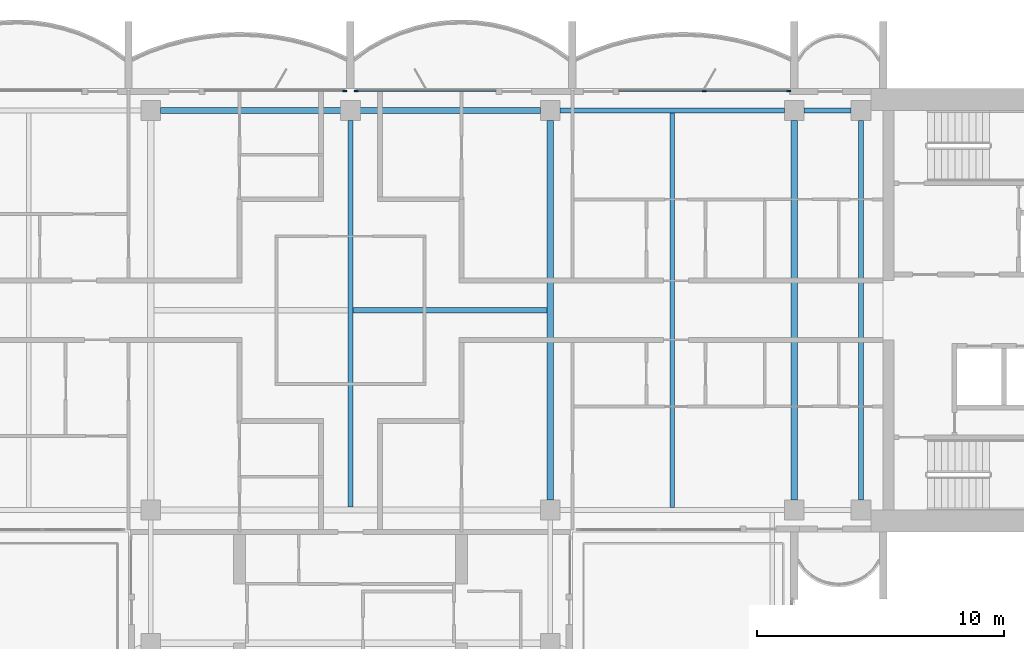
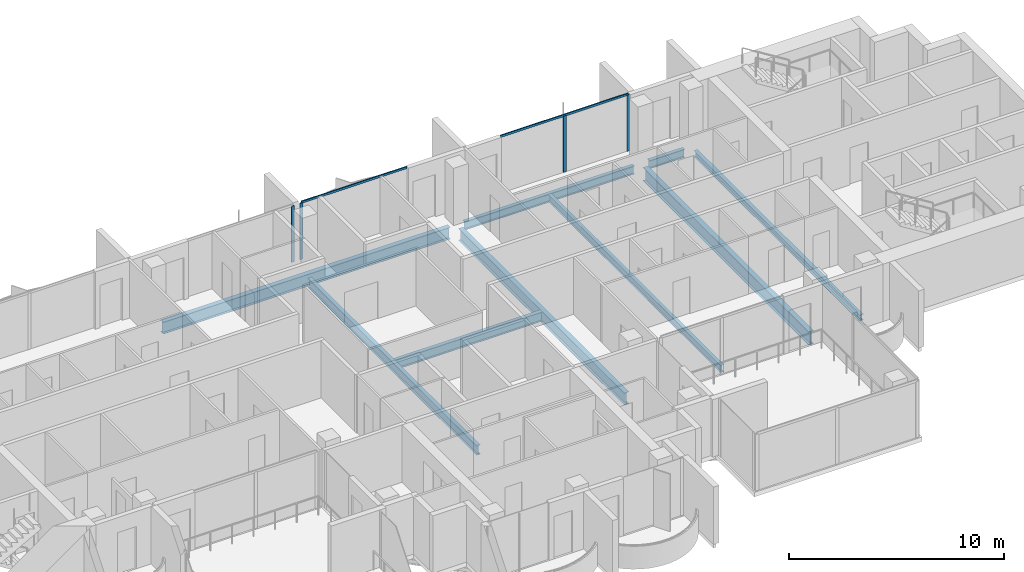
# One storey, part 4 of 16: 9 beams, 6 members, 3 elements without a shape of their own.
"""IFC4 building model written with IfcOpenShell, lengths in metres."""

import ifcopenshell
import ifcopenshell.guid

model = None  # the IFC model being written
_history = None  # IfcOwnerHistory: only IFC2X3 demands one
_inside = {}  # id of a spatial element -> (the spatial element, [elements in it])
_under = {}  # id of a project, library or spatial element -> (it, [spatial elements below it])
_declared = {}  # id of a project -> (the project, [libraries it declares])
_typed = {}  # id of a type object -> (the type object, [elements of that type])
_made_of = {}  # id of a material, layer set ... -> (it, [elements and type objects made of it])


def new_model(schema):
    """Start an empty IFC model of exactly this schema.

    Asked for "IFC4X3", IfcOpenShell would pick the latest addendum, in which some entities
    have other attributes; the version numbers below select the first issue.
    IFC2X3 requires an IfcOwnerHistory on every rooted entity: one is made here for all.
    """
    global model, _history
    if schema == "IFC4X3":
        model = ifcopenshell.file(schema_version=(4, 3, 0, 0))
    else:
        model = ifcopenshell.file(schema=schema)
    _inside.clear()
    _under.clear()
    _declared.clear()
    _typed.clear()
    _made_of.clear()
    _history = None
    if model.schema == "IFC2X3":
        org = make("IfcOrganization", Name="unknown")
        user = make(
            "IfcPersonAndOrganization",
            ThePerson=make("IfcPerson", FamilyName="unknown"),
            TheOrganization=org,
        )
        app = make(
            "IfcApplication",
            ApplicationDeveloper=org,
            Version="unknown",
            ApplicationFullName="unknown",
            ApplicationIdentifier="unknown",
        )
        _history = make(
            "IfcOwnerHistory",
            OwningUser=user,
            OwningApplication=app,
            ChangeAction="ADDED",
            CreationDate=0,
        )
    return model


def make(cls, **values):
    """One entity of the class cls with the attributes given. An attribute that is None is left unset."""
    return model.create_entity(
        cls, **{name: value for name, value in values.items() if value is not None}
    )


def rooted(cls, **values):
    """An entity with a GlobalId (a new one), such as an element, a storey or a relation."""
    return make(cls, GlobalId=ifcopenshell.guid.new(), OwnerHistory=_history, **values)


def si_unit(unit_type, name, prefix=None):
    """IfcSIUnit, for example si_unit("LENGTHUNIT", "METRE", prefix="MILLI")."""
    return make("IfcSIUnit", UnitType=unit_type, Prefix=prefix, Name=name)


def assignment(units):
    """IfcUnitAssignment: the units of a project."""
    return None if units is None else make("IfcUnitAssignment", Units=units)


def point(xyz):
    """IfcCartesianPoint."""
    return None if xyz is None else make("IfcCartesianPoint", Coordinates=xyz)


def direction(xyz):
    """IfcDirection."""
    return None if xyz is None else make("IfcDirection", DirectionRatios=xyz)


def frame(location, z_axis=None, x_axis=None):
    """IfcAxis2Placement3D, a coordinate frame: its origin and axes. An axis left out is left unset."""
    return make(
        "IfcAxis2Placement3D",
        Location=point(location),
        Axis=direction(z_axis),
        RefDirection=direction(x_axis),
    )


def frame_2d(location, x_axis=None):
    """IfcAxis2Placement2D, a coordinate frame in the plane: its origin and x axis."""
    return make(
        "IfcAxis2Placement2D", Location=point(location), RefDirection=direction(x_axis)
    )


def origin():
    """The frame at (0, 0, 0) with its axes left unset."""
    return frame((0.0, 0.0, 0.0))


def origin_2d():
    """The frame at (0, 0) in the plane with its x axis left unset."""
    return frame_2d((0.0, 0.0))


def place(relative_to, where):
    """IfcLocalPlacement: puts the frame where relative to a parent placement (None: the world)."""
    return make(
        "IfcLocalPlacement", PlacementRelTo=relative_to, RelativePlacement=where
    )


def context(
    kind, dimensions, precision=None, world=None, true_north=None, identifier=None
):
    """IfcGeometricRepresentationContext, for example the 3D "Model" context."""
    return make(
        "IfcGeometricRepresentationContext",
        ContextIdentifier=identifier,
        ContextType=kind,
        CoordinateSpaceDimension=dimensions,
        Precision=precision,
        WorldCoordinateSystem=world,
        TrueNorth=true_north,
    )


def subcontext(parent, identifier, kind, view, scale=None):
    """IfcGeometricRepresentationSubContext, for example "Body" below "Model"."""
    return make(
        "IfcGeometricRepresentationSubContext",
        ContextIdentifier=identifier,
        ContextType=kind,
        ParentContext=parent,
        TargetScale=scale,
        TargetView=view,
    )


def project(units=None, contexts=None):
    """IfcProject with its units and contexts."""
    return rooted(
        "IfcProject",
        Name="project",
        RepresentationContexts=contexts,
        UnitsInContext=assignment(units),
    )


def spatial(cls, under=None, at=None, **own):
    """A site, building, storey or space (cls), placed at a placement, below another one or the project."""
    s = rooted(cls, ObjectPlacement=at, **own)
    if under is not None:
        _under.setdefault(under.id(), (under, []))[1].append(s)
    return s


def profile(cls, at=None, kind="AREA", **sizes):
    """A parametric profile (cls). Its sizes go by their IFC names, for example OverallWidth=200.0."""
    return make(cls, ProfileType=kind, Position=at, **sizes)


def rectangle(**sizes):
    """IfcRectangleProfileDef."""
    return profile("IfcRectangleProfileDef", **sizes)


def i_section(**sizes):
    """IfcIShapeProfileDef."""
    return profile("IfcIShapeProfileDef", **sizes)


def extrude(swept, where, along, depth):
    """IfcExtrudedAreaSolid: the profile swept, set in the frame where, extruded along a direction by depth."""
    return make(
        "IfcExtrudedAreaSolid",
        SweptArea=swept,
        Position=where,
        ExtrudedDirection=direction(along),
        Depth=depth,
    )


def shape(context_of_items, identifier, shape_type, items):
    """IfcShapeRepresentation: the items that make up one representation, for example the "Body"."""
    return make(
        "IfcShapeRepresentation",
        ContextOfItems=context_of_items,
        RepresentationIdentifier=identifier,
        RepresentationType=shape_type,
        Items=items,
    )


def material(Name=None, Category=None):
    """IfcMaterial."""
    return make("IfcMaterial", Name=Name, Category=Category)


def material_profile(
    of_material, cross_section, Name=None, Category=None, Priority=None
):
    """IfcMaterialProfile: a cross section and its material."""
    return make(
        "IfcMaterialProfile",
        Name=Name,
        Material=of_material,
        Profile=cross_section,
        Priority=Priority,
        Category=Category,
    )


def profile_set(profiles, Name=None, composite=None):
    """IfcMaterialProfileSet."""
    return make(
        "IfcMaterialProfileSet",
        Name=Name,
        MaterialProfiles=profiles,
        CompositeProfile=composite,
    )


def made_of(thing, what):
    """Note that an element or type object is made of a material, layer set ...; save() writes the relation."""
    if what is not None:
        _made_of.setdefault(what.id(), (what, []))[1].append(thing)
    return thing


def type_object(cls, material=None, **own):
    """A type object (cls), such as IfcWallType, which elements share."""
    return made_of(rooted(cls, **own), material)


def element(
    cls,
    number,
    at=None,
    inside=None,
    cuts=None,
    type_object=None,
    material=None,
    context=None,
    identifier="Body",
    shape_type=None,
    held_by="IfcProductDefinitionShape",
    body=None,
    shapes=None,
    **own,
):
    """One element of the class cls, such as IfcWall. Its Tag is "e" and its number.

    at: its placement. inside: the storey or other place that contains it. cuts: it is an
    opening in that element (IfcRelVoidsElement). A single representation is given by context,
    identifier, shape_type and body (its items); several are given by shapes. held_by: the class
    of the entity that holds the representations. save() writes the other relations.
    """
    e = rooted(cls, Tag="e%d" % number, ObjectPlacement=at, **own)
    if body is not None:
        shapes = [shape(context, identifier, shape_type, body)]
    if shapes is not None:
        e.Representation = make(held_by, Representations=shapes)
    if inside is not None:
        _inside.setdefault(inside.id(), (inside, []))[1].append(e)
    if cuts is not None:
        rooted(
            "IfcRelVoidsElement", RelatingBuildingElement=cuts, RelatedOpeningElement=e
        )
    if type_object is not None:
        _typed.setdefault(type_object.id(), (type_object, []))[1].append(e)
    return made_of(e, material)


def aggregate(whole, parts):
    """IfcRelAggregates: a whole, such as a stair, and the parts it consists of."""
    return rooted("IfcRelAggregates", RelatingObject=whole, RelatedObjects=parts)


def save(model, path):
    """Write the relations noted so far, then the file.

    IfcRelAggregates (storeys below a building ...), IfcRelContainedInSpatialStructure (elements
    in a storey), IfcRelDefinesByType, IfcRelAssociatesMaterial and IfcRelDeclares: one each for
    every whole, place, type object, material and project.
    """
    for whole, parts in _under.values():
        aggregate(whole, parts)
    for where, things in _inside.values():
        rooted(
            "IfcRelContainedInSpatialStructure",
            RelatedElements=things,
            RelatingStructure=where,
        )
    for kind, things in _typed.values():
        rooted("IfcRelDefinesByType", RelatedObjects=things, RelatingType=kind)
    for what, things in _made_of.values():
        rooted("IfcRelAssociatesMaterial", RelatedObjects=things, RelatingMaterial=what)
    for by, libraries in _declared.values():
        rooted("IfcRelDeclares", RelatingContext=by, RelatedDefinitions=libraries)
    model.write(path)


model = new_model("IFC4")

# Units and contexts
model_context = context("Model", 3, precision=1e-05, world=origin(), true_north=direction((0.0, 1.0)))
body_context = subcontext(model_context, "Body", "Model", "MODEL_VIEW")
ifc_project = project(units=[si_unit("LENGTHUNIT", "METRE"), si_unit("AREAUNIT", "SQUARE_METRE"), si_unit("VOLUMEUNIT", "CUBIC_METRE"), si_unit("PLANEANGLEUNIT", "RADIAN"), si_unit("MASSUNIT", "GRAM", prefix="KILO")], contexts=[model_context])

# Site, building, storey
site_placement = place(None, origin())
site = spatial("IfcSite", under=ifc_project, at=site_placement, CompositionType="ELEMENT")
building_placement = place(site_placement, origin())
building = spatial("IfcBuilding", under=site, at=building_placement, Name="Perihelion Cross Residences", CompositionType="ELEMENT")
storey_placement = place(building_placement, frame((0.0, 0.0, 246.5)))
storey = spatial("IfcBuildingStorey", under=building, at=storey_placement, Name="L62", CompositionType="ELEMENT", Elevation=246.5)

# Curtain wall, members
ifc_material_1 = material(Name="Bronze anodised aluminium, tinted glazing", Category="aluminium")
curtain_wall_type = type_object("IfcCurtainWallType", Name="CW1", PredefinedType="NOTDEFINED", material=ifc_material_1)
curtain_wall_1_placement = place(storey_placement, origin())
curtain_wall_1 = element("IfcCurtainWall", 1, at=curtain_wall_1_placement, inside=storey, type_object=curtain_wall_type, Name="Curtain wall CW1 L62 east side north bay 2", PredefinedType="NOTDEFINED")
ifc_material_2 = material(Name="Bronze anodised aluminium", Category="aluminium")
ifc_material_profile_1 = material_profile(ifc_material_2, rectangle(XDim=0.06005859375, YDim=0.159912109375, at=origin_2d()), Name="CW1 mullion")
ifc_profile_set_1 = profile_set([ifc_material_profile_1], Name="Bronze anodised aluminium")
member_type_1 = type_object("IfcMemberType", Name="CW1 mullion", PredefinedType="MULLION", material=ifc_profile_set_1)
member_1_placement = place(storey_placement, frame((17.77001953125, 8.89990234375, 0.0), z_axis=(0.0, 0.0, 1.0), x_axis=(0.0, -1.0, 0.0)))
member_1 = element("IfcMember", 2, at=member_1_placement, type_object=member_type_1, Name="CW1 mullion 1", PredefinedType="MULLION", context=body_context, shape_type="SweptSolid", body=[
    extrude(rectangle(XDim=0.06005859375, YDim=0.159912109375, at=origin_2d()), origin(), (0.0, 0.0, 1.0), 3.18994140625),
])
member_2_placement = place(storey_placement, frame((14.35009765625, 8.89990234375, 0.0), z_axis=(0.0, 0.0, 1.0), x_axis=(0.0, -1.0, 0.0)))
member_2 = element("IfcMember", 3, at=member_2_placement, type_object=member_type_1, Name="CW1 mullion 2", PredefinedType="MULLION", context=body_context, shape_type="SweptSolid", body=[
    extrude(rectangle(XDim=0.06005859375, YDim=0.159912109375, at=origin_2d()), origin(), (0.0, 0.0, 1.0), 3.18994140625),
])

# Curtain wall, member
curtain_wall_2_placement = place(storey_placement, origin())
curtain_wall_2 = element("IfcCurtainWall", 4, at=curtain_wall_2_placement, inside=storey, type_object=curtain_wall_type, Name="Curtain wall CW1 L62 north side east bay 1", PredefinedType="NOTDEFINED")
member_3_placement = place(storey_placement, frame((0.22998046875, 8.89990234375, 0.0), z_axis=(0.0, 0.0, 1.0), x_axis=(0.0, -1.0, 0.0)))
member_3 = element("IfcMember", 5, at=member_3_placement, type_object=member_type_1, Name="CW1 mullion 2", PredefinedType="MULLION", context=body_context, shape_type="SweptSolid", body=[
    extrude(rectangle(XDim=0.06005859375, YDim=0.159912109375, at=origin_2d()), origin(), (0.0, 0.0, 1.0), 3.18994140625),
])

curtain_wall_3_placement = place(storey_placement, origin())
curtain_wall_3 = element("IfcCurtainWall", 6, at=curtain_wall_3_placement, inside=storey, type_object=curtain_wall_type, Name="Curtain wall CW1 L62 north side east bay 2", PredefinedType="NOTDEFINED")
member_4_placement = place(storey_placement, frame((-0.22998046875, 8.89990234375, 0.0), z_axis=(0.0, 0.0, 1.0), x_axis=(0.0, -1.0, 0.0)))
member_4 = element("IfcMember", 7, at=member_4_placement, type_object=member_type_1, Name="CW1 mullion 1", PredefinedType="MULLION", context=body_context, shape_type="SweptSolid", body=[
    extrude(rectangle(XDim=0.06005859375, YDim=0.159912109375, at=origin_2d()), origin(), (0.0, 0.0, 1.0), 3.18994140625),
])
aggregate(curtain_wall_3, [member_4])

# Member
ifc_material_3 = material(Name="Bronze anodised aluminium", Category="aluminium")
ifc_material_profile_2 = material_profile(ifc_material_3, rectangle(XDim=0.06005859375, YDim=0.1201171875, at=origin_2d()), Name="CW1 transom")
ifc_profile_set_2 = profile_set([ifc_material_profile_2], Name="Bronze anodised aluminium")
member_type_2 = type_object("IfcMemberType", Name="CW1 transom", PredefinedType="USERDEFINED", material=ifc_profile_set_2)
member_5_placement = place(storey_placement, frame((17.77001953125, 8.89990234375, 3.219970703125), z_axis=(-1.0, 0.0, 0.0), x_axis=(0.0, -1.0, 0.0)))
member_5 = element("IfcMember", 8, at=member_5_placement, type_object=member_type_2, Name="CW1 head transom", ObjectType="TRANSOM", PredefinedType="USERDEFINED", context=body_context, shape_type="SweptSolid", body=[
    extrude(rectangle(XDim=0.06005859375, YDim=0.1201171875, at=origin_2d()), origin(), (0.0, 0.0, 1.0), 6.8701171875),
])

aggregate(curtain_wall_1, [member_1, member_2, member_5])

member_6_placement = place(storey_placement, frame((5.89990234375, 8.89990234375, 3.219970703125), z_axis=(-1.0, 0.0, 0.0), x_axis=(0.0, -1.0, 0.0)))
member_6 = element("IfcMember", 9, at=member_6_placement, type_object=member_type_2, Name="CW1 head transom", ObjectType="TRANSOM", PredefinedType="USERDEFINED", context=body_context, shape_type="SweptSolid", body=[
    extrude(rectangle(XDim=0.06005859375, YDim=0.1201171875, at=origin_2d()), origin(), (0.0, 0.0, 1.0), 5.669921875),
])

aggregate(curtain_wall_2, [member_3, member_6])

# Beams
ifc_material_4 = material(Name="Steel S355", Category="steel")
ifc_material_profile_3 = material_profile(ifc_material_4, i_section(OverallWidth=0.205078125, OverallDepth=0.35302734375, WebThickness=0.009521484375, FlangeThickness=0.016845703125, at=origin_2d()), Name="W360x79")
ifc_profile_set_3 = profile_set([ifc_material_profile_3], Name="Steel S355")
beam_type_1 = type_object("IfcBeamType", Name="Core edge beam W360x79", PredefinedType="BEAM", material=ifc_profile_set_3)
beam_1_placement = place(storey_placement, frame((20.699951171875, -7.699951171875, -0.426513671875), z_axis=(0.0, 1.0, 0.0), x_axis=(-1.0, 0.0, 0.0)))
element("IfcBeam", 10, at=beam_1_placement, inside=storey, type_object=beam_type_1, Name="Core edge beam TB7 L62 no. 2", PredefinedType="BEAM", context=body_context, shape_type="SweptSolid", body=[
    extrude(i_section(OverallWidth=0.205078125, OverallDepth=0.35302734375, WebThickness=0.009521484375, FlangeThickness=0.016845703125, at=origin_2d()), origin(), (0.0, 0.0, 1.0), 15.39990234375),
])
ifc_material_5 = material(Name="Steel S355", Category="steel")
ifc_material_profile_4 = material_profile(ifc_material_5, i_section(OverallWidth=0.194091796875, OverallDepth=0.469970703125, WebThickness=0.0126953125, FlangeThickness=0.0205078125, at=origin_2d()), Name="W460x106")
ifc_profile_set_4 = profile_set([ifc_material_profile_4], Name="Steel S355")
beam_type_2 = type_object("IfcBeamType", Name="Edge beam W460x106", PredefinedType="SPANDREL", material=ifc_profile_set_4)
beam_2_placement = place(storey_placement, frame((20.300048828125, 8.10009765625, -0.485107421875), z_axis=(-1.0, 0.0, 0.0), x_axis=(0.0, -1.0, 0.0)))
element("IfcBeam", 11, at=beam_2_placement, inside=storey, type_object=beam_type_2, Name="Edge beam SB5 L62 no. 10", PredefinedType="SPANDREL", context=body_context, shape_type="SweptSolid", body=[
    extrude(i_section(OverallWidth=0.194091796875, OverallDepth=0.469970703125, WebThickness=0.0126953125, FlangeThickness=0.0205078125, at=origin_2d()), origin(), (0.0, 0.0, 1.0), 1.900146484375),
])
beam_3_placement = place(storey_placement, frame((17.60009765625, 8.10009765625, -0.485107421875), z_axis=(-1.0, 0.0, 0.0), x_axis=(0.0, -1.0, 0.0)))
element("IfcBeam", 12, at=beam_3_placement, inside=storey, type_object=beam_type_2, Name="Edge beam SB5 L62 no. 9", PredefinedType="SPANDREL", context=body_context, shape_type="SweptSolid", body=[
    extrude(i_section(OverallWidth=0.194091796875, OverallDepth=0.469970703125, WebThickness=0.0126953125, FlangeThickness=0.0205078125, at=origin_2d()), origin(), (0.0, 0.0, 1.0), 9.10009765625),
])
ifc_material_6 = material(Name="Steel S355", Category="steel")
ifc_material_profile_5 = material_profile(ifc_material_6, i_section(OverallWidth=0.26708984375, OverallDepth=0.75390625, WebThickness=0.01318359375, FlangeThickness=0.01708984375, at=origin_2d()), Name="W760x147")
ifc_profile_set_5 = profile_set([ifc_material_profile_5], Name="Steel S355")
beam_type_3 = type_object("IfcBeamType", Name="Floor girder W760x147", PredefinedType="BEAM", material=ifc_profile_set_5)
beam_4_placement = place(storey_placement, frame((18.0, -7.699951171875, -0.626953125), z_axis=(0.0, 1.0, 0.0), x_axis=(-1.0, 0.0, 0.0)))
element("IfcBeam", 13, at=beam_4_placement, inside=storey, type_object=beam_type_3, Name="Girder G5 L62 no. 2", PredefinedType="BEAM", context=body_context, shape_type="SweptSolid", body=[
    extrude(i_section(OverallWidth=0.26708984375, OverallDepth=0.75390625, WebThickness=0.01318359375, FlangeThickness=0.01708984375, at=origin_2d()), origin(), (0.0, 0.0, 1.0), 15.39990234375),
])
ifc_material_7 = material(Name="Steel S355", Category="steel")
ifc_material_profile_6 = material_profile(ifc_material_7, i_section(OverallWidth=0.177978515625, OverallDepth=0.406005859375, WebThickness=0.0078125, FlangeThickness=0.0126953125, at=origin_2d()), Name="W410x60")
ifc_profile_set_6 = profile_set([ifc_material_profile_6], Name="Steel S355")
beam_type_4 = type_object("IfcBeamType", Name="Floor joist W410x60", PredefinedType="JOIST", material=ifc_profile_set_6)
beam_5_placement = place(storey_placement, frame((13.050048828125, -8.0029296875, -0.452880859375), z_axis=(0.0, 1.0, 0.0), x_axis=(-1.0, 0.0, 0.0)))
element("IfcBeam", 14, at=beam_5_placement, inside=storey, type_object=beam_type_4, Name="Joist J6 L62 no. 2", PredefinedType="JOIST", context=body_context, shape_type="SweptSolid", body=[
    extrude(i_section(OverallWidth=0.177978515625, OverallDepth=0.406005859375, WebThickness=0.0078125, FlangeThickness=0.0126953125, at=origin_2d()), origin(), (0.0, 0.0, 1.0), 16.005859375),
])
ifc_material_8 = material(Name="Steel S355", Category="steel")
ifc_material_profile_7 = material_profile(ifc_material_8, i_section(OverallWidth=0.208984375, OverallDepth=0.532958984375, WebThickness=0.01025390625, FlangeThickness=0.015625, at=origin_2d()), Name="W530x92")
ifc_profile_set_7 = profile_set([ifc_material_profile_7], Name="Steel S355")
beam_type_5 = type_object("IfcBeamType", Name="Hub cross beam W530x92", PredefinedType="BEAM", material=ifc_profile_set_7)
beam_6_placement = place(storey_placement, frame((0.0, -7.972900390625, -0.5166015625), z_axis=(0.0, 1.0, 0.0), x_axis=(-1.0, 0.0, 0.0)))
element("IfcBeam", 15, at=beam_6_placement, inside=storey, type_object=beam_type_5, Name="Hub cross beam XB5 L62 no. 1", PredefinedType="BEAM", context=body_context, shape_type="SweptSolid", body=[
    extrude(i_section(OverallWidth=0.208984375, OverallDepth=0.532958984375, WebThickness=0.01025390625, FlangeThickness=0.015625, at=origin_2d()), origin(), (0.0, 0.0, 1.0), 15.6728515625),
])
beam_7_placement = place(storey_placement, frame((0.1044921875, 0.0, -0.5166015625), z_axis=(1.0, 0.0, 0.0), x_axis=(0.0, 1.0, 0.0)))
element("IfcBeam", 16, at=beam_7_placement, inside=storey, type_object=beam_type_5, Name="Hub cross beam XB5 L62 2 no. 1", PredefinedType="BEAM", context=body_context, shape_type="SweptSolid", body=[
    extrude(i_section(OverallWidth=0.208984375, OverallDepth=0.532958984375, WebThickness=0.01025390625, FlangeThickness=0.015625, at=origin_2d()), origin(), (0.0, 0.0, 1.0), 7.868408203125),
])
ifc_material_9 = material(Name="Steel S355", Category="steel")
ifc_material_profile_8 = material_profile(ifc_material_9, i_section(OverallWidth=0.25390625, OverallDepth=0.677978515625, WebThickness=0.01171875, FlangeThickness=0.016357421875, at=origin_2d()), Name="W690x125")
ifc_profile_set_8 = profile_set([ifc_material_profile_8], Name="Steel S355")
beam_type_6 = type_object("IfcBeamType", Name="Hub ring girder W690x125", PredefinedType="BEAM", material=ifc_profile_set_8)
for number, where, z_axis, x_axis, name in (
    (17, (8.10009765625, -7.699951171875, -0.589111328125), (0.0, 1.0, 0.0), (-1.0, 0.0, 0.0), "Hub ring girder RG5 L62 no. 3"),
    (18, (7.699951171875, 8.10009765625, -0.589111328125), (-1.0, 0.0, 0.0), (0.0, -1.0, 0.0), "Hub ring girder RG5 L62 no. 4"),
):
    element("IfcBeam", number, at=place(storey_placement, frame(where, z_axis=z_axis, x_axis=x_axis)), inside=storey, type_object=beam_type_6, Name=name, PredefinedType="BEAM", context=body_context, shape_type="SweptSolid", body=[
        extrude(i_section(OverallWidth=0.25390625, OverallDepth=0.677978515625, WebThickness=0.01171875, FlangeThickness=0.016357421875, at=origin_2d()), origin(), (0.0, 0.0, 1.0), 15.39990234375),
    ])

save(model, "model.ifc")
